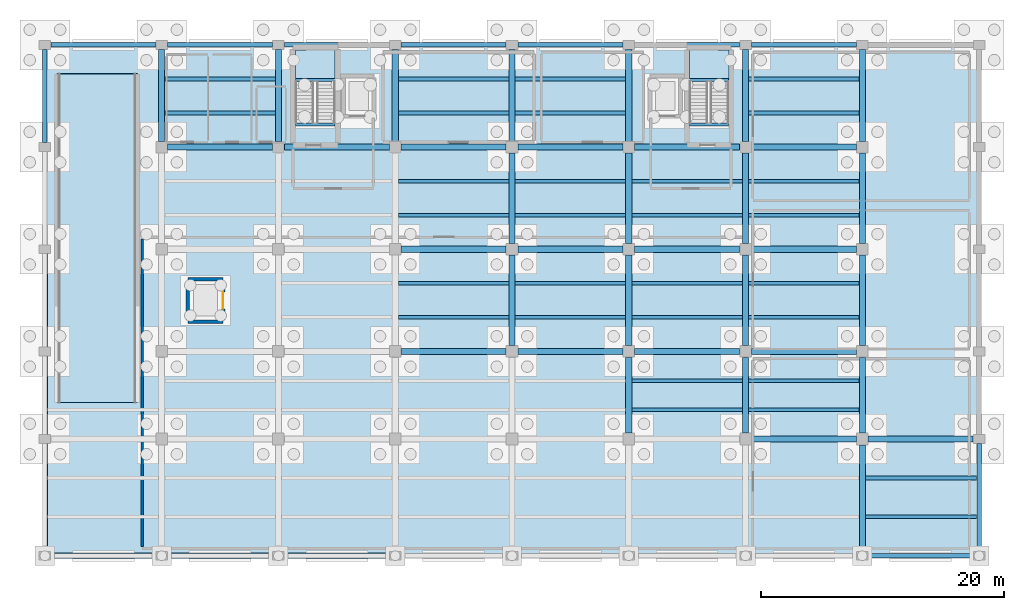
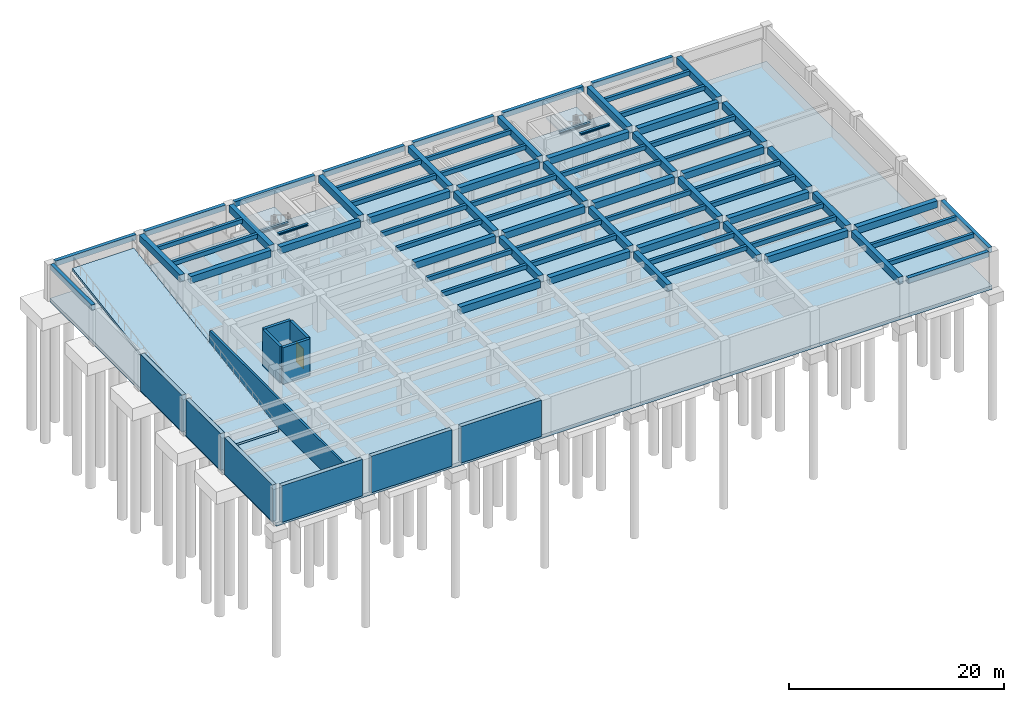
# One storey, part 3 of 8: 79 beams, 11 walls, 4 slabs, 1 door, 1 opening, 2 elements without a shape of their own.
"""IFC4 building model written with IfcOpenShell, lengths in metres."""

from ifc_helpers import new_model, si_unit, direction, frame, frame_2d, origin, origin_2d, place, context, subcontext, project, spatial, polyline, rectangle, i_section, outline, extrude, material, layer, layer_set, material_profile, profile_set, type_object, element, fill, aggregate, save


model = new_model("IFC4")

# Units and contexts
model_context = context("Model", 3, precision=1e-05, world=origin(), true_north=direction((0.0, 1.0)))
body_context = subcontext(model_context, "Body", "Model", "MODEL_VIEW")
ifc_project = project(units=[si_unit("LENGTHUNIT", "METRE"), si_unit("AREAUNIT", "SQUARE_METRE"), si_unit("VOLUMEUNIT", "CUBIC_METRE"), si_unit("PLANEANGLEUNIT", "RADIAN"), si_unit("MASSUNIT", "GRAM", prefix="KILO")], contexts=[model_context])

# Site, building, storey
site_placement = place(None, origin())
site = spatial("IfcSite", under=ifc_project, at=site_placement, CompositionType="ELEMENT")
building_placement = place(site_placement, origin())
building = spatial("IfcBuilding", under=site, at=building_placement, Name="Bempovik Park Faculty of Sciences", CompositionType="ELEMENT")
storey_placement = place(building_placement, frame((0.0, 0.0, -4.5)))
storey = spatial("IfcBuildingStorey", under=building, at=storey_placement, Name="B1", CompositionType="ELEMENT", Elevation=-4.5)

# Beams
ifc_material_1 = material(Name="Concrete C35/45", Category="concrete")
ifc_material_profile_1 = material_profile(ifc_material_1, rectangle(XDim=0.3798828125, YDim=0.60009765625, at=origin_2d()), Name="RC 380x600")
ifc_profile_set_1 = profile_set([ifc_material_profile_1], Name="Concrete C35/45")
beam_type_1 = type_object("IfcBeamType", Name="B-032 RC 380x600", PredefinedType="SPANDREL", material=ifc_profile_set_1)
for number, where, z_axis, x_axis, name in (
    (1, (118.0810546875, 77.39990234375, 3.840087890625), (1.0, 0.0, 0.0), (0.0, 1.0, 0.0), "B1 Beam X (117.6-127.2, y=77.4)"),
    (2, (50.881103515625, 119.39990234375, 3.840087890625), (1.0, 0.0, 0.0), (0.0, 1.0, 0.0), "B1 Beam X (50.4-60.0, y=119.4)"),
    (3, (60.48095703125, 119.39990234375, 3.840087890625), (1.0, 0.0, 0.0), (0.0, 1.0, 0.0), "B1 Beam X (60.0-69.6, y=119.4)"),
    (4, (70.0810546875, 119.39990234375, 3.840087890625), (1.0, 0.0, 0.0), (0.0, 1.0, 0.0), "B1 Beam X (69.6-79.2, y=119.4)"),
):
    element("IfcBeam", number, at=place(storey_placement, frame(where, z_axis=z_axis, x_axis=x_axis)), inside=storey, type_object=beam_type_1, Name=name, PredefinedType="SPANDREL", context=body_context, shape_type="SweptSolid", body=[
        extrude(rectangle(XDim=0.3798828125, YDim=0.60009765625, at=origin_2d()), origin(), (0.0, 0.0, 1.0), 8.637939453125),
    ])
beam_1_placement = place(storey_placement, frame((79.680908203125, 119.39990234375, 3.840087890625), z_axis=(1.0, 0.0, 0.0), x_axis=(0.0, 1.0, 0.0)))
element("IfcBeam", 5, at=beam_1_placement, inside=storey, type_object=beam_type_1, Name="B1 Beam X (79.2-88.8, y=119.4)", PredefinedType="SPANDREL", context=body_context, shape_type="SweptSolid", body=[
    extrude(rectangle(XDim=0.3798828125, YDim=0.60009765625, at=origin_2d()), origin(), (0.0, 0.0, 1.0), 8.63818359375),
])
for number, where, z_axis, x_axis, name in (
    (6, (89.281005859375, 119.39990234375, 3.840087890625), (1.0, 0.0, 0.0), (0.0, 1.0, 0.0), "B1 Beam X (88.8-98.4, y=119.4)"),
    (7, (98.881103515625, 119.39990234375, 3.840087890625), (1.0, 0.0, 0.0), (0.0, 1.0, 0.0), "B1 Beam X (98.4-108.0, y=119.4)"),
    (8, (108.48095703125, 119.39990234375, 3.840087890625), (1.0, 0.0, 0.0), (0.0, 1.0, 0.0), "B1 Beam X (108.0-117.6, y=119.4)"),
):
    element("IfcBeam", number, at=place(storey_placement, frame(where, z_axis=z_axis, x_axis=x_axis)), inside=storey, type_object=beam_type_1, Name=name, PredefinedType="SPANDREL", context=body_context, shape_type="SweptSolid", body=[
        extrude(rectangle(XDim=0.3798828125, YDim=0.60009765625, at=origin_2d()), origin(), (0.0, 0.0, 1.0), 8.637939453125),
    ])
beam_2_placement = place(storey_placement, frame((50.39990234375, 111.365966796875, 3.840087890625), z_axis=(0.0, 1.0, 0.0), x_axis=(-1.0, 0.0, 0.0)))
element("IfcBeam", 9, at=beam_2_placement, inside=storey, type_object=beam_type_1, Name="B1 Beam Y (x=50.4, 111.0-119.4)", PredefinedType="SPANDREL", context=body_context, shape_type="SweptSolid", body=[
    extrude(rectangle(XDim=0.3798828125, YDim=0.60009765625, at=origin_2d()), origin(), (0.0, 0.0, 1.0), 7.66796875),
])
beam_3_placement = place(storey_placement, frame((127.199951171875, 77.76611328125, 3.840087890625), z_axis=(0.0, 1.0, 0.0), x_axis=(-1.0, 0.0, 0.0)))
element("IfcBeam", 10, at=beam_3_placement, inside=storey, type_object=beam_type_1, Name="B1 Beam Y (x=127.2, 77.4-87.0)", PredefinedType="SPANDREL", context=body_context, shape_type="SweptSolid", body=[
    extrude(rectangle(XDim=0.3798828125, YDim=0.60009765625, at=origin_2d()), origin(), (0.0, 0.0, 1.0), 8.867919921875),
])
ifc_material_profile_2 = material_profile(ifc_material_1, rectangle(XDim=0.300048828125, YDim=0.47998046875, at=origin_2d()), Name="RC 300x480")
ifc_profile_set_2 = profile_set([ifc_material_profile_2], Name="Concrete C35/45")
beam_type_2 = type_object("IfcBeamType", Name="B-039 RC 300x480", PredefinedType="JOIST", material=ifc_profile_set_2)
for number, where, z_axis, x_axis, name in (
    (11, (60.256103515625, 113.800048828125, 3.89990234375), (1.0, 0.0, 0.0), (0.0, 1.0, 0.0), "B1 Secondary Joist (60.0-69.6, y=113.80)"),
    (12, (60.256103515625, 116.60009765625, 3.89990234375), (1.0, 0.0, 0.0), (0.0, 1.0, 0.0), "B1 Secondary Joist (60.0-69.6, y=116.60)"),
    (13, (79.4560546875, 97.0, 3.89990234375), (1.0, 0.0, 0.0), (0.0, 1.0, 0.0), "B1 Secondary Joist (79.2-88.8, y=97.00)"),
    (14, (79.4560546875, 99.800048828125, 3.89990234375), (1.0, 0.0, 0.0), (0.0, 1.0, 0.0), "B1 Secondary Joist (79.2-88.8, y=99.80)"),
    (15, (79.4560546875, 105.39990234375, 3.89990234375), (1.0, 0.0, 0.0), (0.0, 1.0, 0.0), "B1 Secondary Joist (79.2-88.8, y=105.40)"),
    (16, (79.4560546875, 108.199951171875, 3.89990234375), (1.0, 0.0, 0.0), (0.0, 1.0, 0.0), "B1 Secondary Joist (79.2-88.8, y=108.20)"),
    (17, (79.4560546875, 113.800048828125, 3.89990234375), (1.0, 0.0, 0.0), (0.0, 1.0, 0.0), "B1 Secondary Joist (79.2-88.8, y=113.80)"),
    (18, (79.4560546875, 116.60009765625, 3.89990234375), (1.0, 0.0, 0.0), (0.0, 1.0, 0.0), "B1 Secondary Joist (79.2-88.8, y=116.60)"),
):
    element("IfcBeam", number, at=place(storey_placement, frame(where, z_axis=z_axis, x_axis=x_axis)), inside=storey, type_object=beam_type_2, Name=name, PredefinedType="JOIST", context=body_context, shape_type="SweptSolid", body=[
        extrude(rectangle(XDim=0.300048828125, YDim=0.47998046875, at=origin_2d()), origin(), (0.0, 0.0, 1.0), 9.087890625),
    ])
for number, where, z_axis, x_axis, name in (
    (19, (89.055908203125, 97.0, 3.89990234375), (1.0, 0.0, 0.0), (0.0, 1.0, 0.0), "B1 Secondary Joist (88.8-98.4, y=97.00)"),
    (20, (89.055908203125, 99.800048828125, 3.89990234375), (1.0, 0.0, 0.0), (0.0, 1.0, 0.0), "B1 Secondary Joist (88.8-98.4, y=99.80)"),
    (21, (89.055908203125, 105.39990234375, 3.89990234375), (1.0, 0.0, 0.0), (0.0, 1.0, 0.0), "B1 Secondary Joist (88.8-98.4, y=105.40)"),
    (22, (89.055908203125, 108.199951171875, 3.89990234375), (1.0, 0.0, 0.0), (0.0, 1.0, 0.0), "B1 Secondary Joist (88.8-98.4, y=108.20)"),
    (23, (89.055908203125, 113.800048828125, 3.89990234375), (1.0, 0.0, 0.0), (0.0, 1.0, 0.0), "B1 Secondary Joist (88.8-98.4, y=113.80)"),
    (24, (89.055908203125, 116.60009765625, 3.89990234375), (1.0, 0.0, 0.0), (0.0, 1.0, 0.0), "B1 Secondary Joist (88.8-98.4, y=116.60)"),
):
    element("IfcBeam", number, at=place(storey_placement, frame(where, z_axis=z_axis, x_axis=x_axis)), inside=storey, type_object=beam_type_2, Name=name, PredefinedType="JOIST", context=body_context, shape_type="SweptSolid", body=[
        extrude(rectangle(XDim=0.300048828125, YDim=0.47998046875, at=origin_2d()), origin(), (0.0, 0.0, 1.0), 9.088134765625),
    ])
for number, where, z_axis, x_axis, name in (
    (25, (98.656005859375, 89.39990234375, 3.89990234375), (1.0, 0.0, 0.0), (0.0, 1.0, 0.0), "B1 Secondary Joist (98.4-108.0, y=89.40)"),
    (26, (98.656005859375, 91.800048828125, 3.89990234375), (1.0, 0.0, 0.0), (0.0, 1.0, 0.0), "B1 Secondary Joist (98.4-108.0, y=91.80)"),
    (27, (98.656005859375, 97.0, 3.89990234375), (1.0, 0.0, 0.0), (0.0, 1.0, 0.0), "B1 Secondary Joist (98.4-108.0, y=97.00)"),
    (28, (98.656005859375, 99.800048828125, 3.89990234375), (1.0, 0.0, 0.0), (0.0, 1.0, 0.0), "B1 Secondary Joist (98.4-108.0, y=99.80)"),
    (29, (98.656005859375, 105.39990234375, 3.89990234375), (1.0, 0.0, 0.0), (0.0, 1.0, 0.0), "B1 Secondary Joist (98.4-108.0, y=105.40)"),
    (30, (98.656005859375, 108.199951171875, 3.89990234375), (1.0, 0.0, 0.0), (0.0, 1.0, 0.0), "B1 Secondary Joist (98.4-108.0, y=108.20)"),
    (31, (108.256103515625, 89.39990234375, 3.89990234375), (1.0, 0.0, 0.0), (0.0, 1.0, 0.0), "B1 Secondary Joist (108.0-117.6, y=89.40)"),
    (32, (108.256103515625, 91.800048828125, 3.89990234375), (1.0, 0.0, 0.0), (0.0, 1.0, 0.0), "B1 Secondary Joist (108.0-117.6, y=91.80)"),
    (33, (108.256103515625, 97.0, 3.89990234375), (1.0, 0.0, 0.0), (0.0, 1.0, 0.0), "B1 Secondary Joist (108.0-117.6, y=97.00)"),
    (34, (108.256103515625, 99.800048828125, 3.89990234375), (1.0, 0.0, 0.0), (0.0, 1.0, 0.0), "B1 Secondary Joist (108.0-117.6, y=99.80)"),
    (35, (108.256103515625, 105.39990234375, 3.89990234375), (1.0, 0.0, 0.0), (0.0, 1.0, 0.0), "B1 Secondary Joist (108.0-117.6, y=105.40)"),
    (36, (108.256103515625, 108.199951171875, 3.89990234375), (1.0, 0.0, 0.0), (0.0, 1.0, 0.0), "B1 Secondary Joist (108.0-117.6, y=108.20)"),
    (37, (108.256103515625, 113.800048828125, 3.89990234375), (1.0, 0.0, 0.0), (0.0, 1.0, 0.0), "B1 Secondary Joist (108.0-117.6, y=113.80)"),
    (38, (108.256103515625, 116.60009765625, 3.89990234375), (1.0, 0.0, 0.0), (0.0, 1.0, 0.0), "B1 Secondary Joist (108.0-117.6, y=116.60)"),
):
    element("IfcBeam", number, at=place(storey_placement, frame(where, z_axis=z_axis, x_axis=x_axis)), inside=storey, type_object=beam_type_2, Name=name, PredefinedType="JOIST", context=body_context, shape_type="SweptSolid", body=[
        extrude(rectangle(XDim=0.300048828125, YDim=0.47998046875, at=origin_2d()), origin(), (0.0, 0.0, 1.0), 9.087890625),
    ])
for number, where, z_axis, x_axis, name in (
    (39, (117.85595703125, 80.60009765625, 3.89990234375), (1.0, 0.0, 0.0), (0.0, 1.0, 0.0), "B1 Secondary Joist (117.6-127.2, y=80.60)"),
    (40, (117.85595703125, 83.800048828125, 3.89990234375), (1.0, 0.0, 0.0), (0.0, 1.0, 0.0), "B1 Secondary Joist (117.6-127.2, y=83.80)"),
):
    element("IfcBeam", number, at=place(storey_placement, frame(where, z_axis=z_axis, x_axis=x_axis)), inside=storey, type_object=beam_type_2, Name=name, PredefinedType="JOIST", context=body_context, shape_type="SweptSolid", body=[
        extrude(rectangle(XDim=0.300048828125, YDim=0.47998046875, at=origin_2d()), origin(), (0.0, 0.0, 1.0), 9.14794921875),
    ])
ifc_material_2 = material(Name="Concrete C40/50", Category="concrete")
ifc_material_profile_3 = material_profile(ifc_material_2, rectangle(XDim=0.5, YDim=0.780029296875, at=origin_2d()), Name="RC 500x780")
ifc_profile_set_3 = profile_set([ifc_material_profile_3], Name="Concrete C40/50")
beam_type_3 = type_object("IfcBeamType", Name="B-065 RC 500x780", PredefinedType="BEAM", material=ifc_profile_set_3)
for number, where, z_axis, x_axis, name in (
    (41, (108.48095703125, 87.0, 3.75), (1.0, 0.0, 0.0), (0.0, 1.0, 0.0), "B1 Beam X (108.0-117.6, y=87.0)"),
    (42, (118.0810546875, 87.0, 3.75), (1.0, 0.0, 0.0), (0.0, 1.0, 0.0), "B1 Beam X (117.6-127.2, y=87.0)"),
):
    element("IfcBeam", number, at=place(storey_placement, frame(where, z_axis=z_axis, x_axis=x_axis)), inside=storey, type_object=beam_type_3, Name=name, PredefinedType="BEAM", context=body_context, shape_type="SweptSolid", body=[
        extrude(rectangle(XDim=0.5, YDim=0.780029296875, at=origin_2d()), origin(), (0.0, 0.0, 1.0), 8.637939453125),
    ])
beam_4_placement = place(storey_placement, frame((79.680908203125, 94.199951171875, 3.75), z_axis=(1.0, 0.0, 0.0), x_axis=(0.0, 1.0, 0.0)))
element("IfcBeam", 43, at=beam_4_placement, inside=storey, type_object=beam_type_3, Name="B1 Beam X (79.2-88.8, y=94.2)", PredefinedType="BEAM", context=body_context, shape_type="SweptSolid", body=[
    extrude(rectangle(XDim=0.5, YDim=0.780029296875, at=origin_2d()), origin(), (0.0, 0.0, 1.0), 8.63818359375),
])
for number, where, z_axis, x_axis, name in (
    (44, (89.281005859375, 94.199951171875, 3.75), (1.0, 0.0, 0.0), (0.0, 1.0, 0.0), "B1 Beam X (88.8-98.4, y=94.2)"),
    (45, (98.881103515625, 94.199951171875, 3.75), (1.0, 0.0, 0.0), (0.0, 1.0, 0.0), "B1 Beam X (98.4-108.0, y=94.2)"),
    (46, (108.48095703125, 94.199951171875, 3.75), (1.0, 0.0, 0.0), (0.0, 1.0, 0.0), "B1 Beam X (108.0-117.6, y=94.2)"),
):
    element("IfcBeam", number, at=place(storey_placement, frame(where, z_axis=z_axis, x_axis=x_axis)), inside=storey, type_object=beam_type_3, Name=name, PredefinedType="BEAM", context=body_context, shape_type="SweptSolid", body=[
        extrude(rectangle(XDim=0.5, YDim=0.780029296875, at=origin_2d()), origin(), (0.0, 0.0, 1.0), 8.637939453125),
    ])
beam_5_placement = place(storey_placement, frame((79.680908203125, 102.60009765625, 3.75), z_axis=(1.0, 0.0, 0.0), x_axis=(0.0, 1.0, 0.0)))
element("IfcBeam", 47, at=beam_5_placement, inside=storey, type_object=beam_type_3, Name="B1 Beam X (79.2-88.8, y=102.6)", PredefinedType="BEAM", context=body_context, shape_type="SweptSolid", body=[
    extrude(rectangle(XDim=0.5, YDim=0.780029296875, at=origin_2d()), origin(), (0.0, 0.0, 1.0), 8.63818359375),
])
for number, where, z_axis, x_axis, name in (
    (48, (89.281005859375, 102.60009765625, 3.75), (1.0, 0.0, 0.0), (0.0, 1.0, 0.0), "B1 Beam X (88.8-98.4, y=102.6)"),
    (49, (98.881103515625, 102.60009765625, 3.75), (1.0, 0.0, 0.0), (0.0, 1.0, 0.0), "B1 Beam X (98.4-108.0, y=102.6)"),
    (50, (108.48095703125, 102.60009765625, 3.75), (1.0, 0.0, 0.0), (0.0, 1.0, 0.0), "B1 Beam X (108.0-117.6, y=102.6)"),
    (51, (60.48095703125, 111.0, 3.75), (1.0, 0.0, 0.0), (0.0, 1.0, 0.0), "B1 Beam X (60.0-69.6, y=111.0)"),
    (52, (70.0810546875, 111.0, 3.75), (1.0, 0.0, 0.0), (0.0, 1.0, 0.0), "B1 Beam X (69.6-79.2, y=111.0)"),
):
    element("IfcBeam", number, at=place(storey_placement, frame(where, z_axis=z_axis, x_axis=x_axis)), inside=storey, type_object=beam_type_3, Name=name, PredefinedType="BEAM", context=body_context, shape_type="SweptSolid", body=[
        extrude(rectangle(XDim=0.5, YDim=0.780029296875, at=origin_2d()), origin(), (0.0, 0.0, 1.0), 8.637939453125),
    ])
beam_6_placement = place(storey_placement, frame((79.680908203125, 111.0, 3.75), z_axis=(1.0, 0.0, 0.0), x_axis=(0.0, 1.0, 0.0)))
element("IfcBeam", 53, at=beam_6_placement, inside=storey, type_object=beam_type_3, Name="B1 Beam X (79.2-88.8, y=111.0)", PredefinedType="BEAM", context=body_context, shape_type="SweptSolid", body=[
    extrude(rectangle(XDim=0.5, YDim=0.780029296875, at=origin_2d()), origin(), (0.0, 0.0, 1.0), 8.63818359375),
])
for number, where, z_axis, x_axis, name in (
    (54, (89.281005859375, 111.0, 3.75), (1.0, 0.0, 0.0), (0.0, 1.0, 0.0), "B1 Beam X (88.8-98.4, y=111.0)"),
    (55, (98.881103515625, 111.0, 3.75), (1.0, 0.0, 0.0), (0.0, 1.0, 0.0), "B1 Beam X (98.4-108.0, y=111.0)"),
    (56, (108.48095703125, 111.0, 3.75), (1.0, 0.0, 0.0), (0.0, 1.0, 0.0), "B1 Beam X (108.0-117.6, y=111.0)"),
):
    element("IfcBeam", number, at=place(storey_placement, frame(where, z_axis=z_axis, x_axis=x_axis)), inside=storey, type_object=beam_type_3, Name=name, PredefinedType="BEAM", context=body_context, shape_type="SweptSolid", body=[
        extrude(rectangle(XDim=0.5, YDim=0.780029296875, at=origin_2d()), origin(), (0.0, 0.0, 1.0), 8.637939453125),
    ])
for number, where, z_axis, x_axis, name in (
    (57, (60.0, 111.48095703125, 3.75), (0.0, 1.0, 0.0), (-1.0, 0.0, 0.0), "B1 Beam Y (x=60.0, 111.0-119.4)"),
    (58, (69.60009765625, 111.48095703125, 3.75), (0.0, 1.0, 0.0), (-1.0, 0.0, 0.0), "B1 Beam Y (x=69.6, 111.0-119.4)"),
    (59, (79.199951171875, 111.48095703125, 3.75), (0.0, 1.0, 0.0), (-1.0, 0.0, 0.0), "B1 Beam Y (x=79.2, 111.0-119.4)"),
):
    element("IfcBeam", number, at=place(storey_placement, frame(where, z_axis=z_axis, x_axis=x_axis)), inside=storey, type_object=beam_type_3, Name=name, PredefinedType="BEAM", context=body_context, shape_type="SweptSolid", body=[
        extrude(rectangle(XDim=0.5, YDim=0.780029296875, at=origin_2d()), origin(), (0.0, 0.0, 1.0), 7.552978515625),
    ])
for number, where, z_axis, x_axis, name in (
    (60, (88.800048828125, 94.680908203125, 3.75), (0.0, 1.0, 0.0), (-1.0, 0.0, 0.0), "B1 Beam Y (x=88.8, 94.2-102.6)"),
    (61, (88.800048828125, 103.0810546875, 3.75), (0.0, 1.0, 0.0), (-1.0, 0.0, 0.0), "B1 Beam Y (x=88.8, 102.6-111.0)"),
):
    element("IfcBeam", number, at=place(storey_placement, frame(where, z_axis=z_axis, x_axis=x_axis)), inside=storey, type_object=beam_type_3, Name=name, PredefinedType="BEAM", context=body_context, shape_type="SweptSolid", body=[
        extrude(rectangle(XDim=0.5, YDim=0.780029296875, at=origin_2d()), origin(), (0.0, 0.0, 1.0), 7.43798828125),
    ])
beam_7_placement = place(storey_placement, frame((88.800048828125, 111.48095703125, 3.75), z_axis=(0.0, 1.0, 0.0), x_axis=(-1.0, 0.0, 0.0)))
element("IfcBeam", 62, at=beam_7_placement, inside=storey, type_object=beam_type_3, Name="B1 Beam Y (x=88.8, 111.0-119.4)", PredefinedType="BEAM", context=body_context, shape_type="SweptSolid", body=[
    extrude(rectangle(XDim=0.5, YDim=0.780029296875, at=origin_2d()), origin(), (0.0, 0.0, 1.0), 7.552978515625),
])
beam_8_placement = place(storey_placement, frame((98.39990234375, 87.48095703125, 3.75), z_axis=(0.0, 1.0, 0.0), x_axis=(-1.0, 0.0, 0.0)))
element("IfcBeam", 63, at=beam_8_placement, inside=storey, type_object=beam_type_3, Name="B1 Beam Y (x=98.4, 87.0-94.2)", PredefinedType="BEAM", context=body_context, shape_type="SweptSolid", body=[
    extrude(rectangle(XDim=0.5, YDim=0.780029296875, at=origin_2d()), origin(), (0.0, 0.0, 1.0), 6.238037109375),
])
for number, where, z_axis, x_axis, name in (
    (64, (98.39990234375, 94.680908203125, 3.75), (0.0, 1.0, 0.0), (-1.0, 0.0, 0.0), "B1 Beam Y (x=98.4, 94.2-102.6)"),
    (65, (98.39990234375, 103.0810546875, 3.75), (0.0, 1.0, 0.0), (-1.0, 0.0, 0.0), "B1 Beam Y (x=98.4, 102.6-111.0)"),
):
    element("IfcBeam", number, at=place(storey_placement, frame(where, z_axis=z_axis, x_axis=x_axis)), inside=storey, type_object=beam_type_3, Name=name, PredefinedType="BEAM", context=body_context, shape_type="SweptSolid", body=[
        extrude(rectangle(XDim=0.5, YDim=0.780029296875, at=origin_2d()), origin(), (0.0, 0.0, 1.0), 7.43798828125),
    ])
beam_9_placement = place(storey_placement, frame((98.39990234375, 111.48095703125, 3.75), z_axis=(0.0, 1.0, 0.0), x_axis=(-1.0, 0.0, 0.0)))
element("IfcBeam", 66, at=beam_9_placement, inside=storey, type_object=beam_type_3, Name="B1 Beam Y (x=98.4, 111.0-119.4)", PredefinedType="BEAM", context=body_context, shape_type="SweptSolid", body=[
    extrude(rectangle(XDim=0.5, YDim=0.780029296875, at=origin_2d()), origin(), (0.0, 0.0, 1.0), 7.552978515625),
])
beam_10_placement = place(storey_placement, frame((108.0, 87.48095703125, 3.75), z_axis=(0.0, 1.0, 0.0), x_axis=(-1.0, 0.0, 0.0)))
element("IfcBeam", 67, at=beam_10_placement, inside=storey, type_object=beam_type_3, Name="B1 Beam Y (x=108.0, 87.0-94.2)", PredefinedType="BEAM", context=body_context, shape_type="SweptSolid", body=[
    extrude(rectangle(XDim=0.5, YDim=0.780029296875, at=origin_2d()), origin(), (0.0, 0.0, 1.0), 6.238037109375),
])
for number, where, z_axis, x_axis, name in (
    (68, (108.0, 94.680908203125, 3.75), (0.0, 1.0, 0.0), (-1.0, 0.0, 0.0), "B1 Beam Y (x=108.0, 94.2-102.6)"),
    (69, (108.0, 103.0810546875, 3.75), (0.0, 1.0, 0.0), (-1.0, 0.0, 0.0), "B1 Beam Y (x=108.0, 102.6-111.0)"),
):
    element("IfcBeam", number, at=place(storey_placement, frame(where, z_axis=z_axis, x_axis=x_axis)), inside=storey, type_object=beam_type_3, Name=name, PredefinedType="BEAM", context=body_context, shape_type="SweptSolid", body=[
        extrude(rectangle(XDim=0.5, YDim=0.780029296875, at=origin_2d()), origin(), (0.0, 0.0, 1.0), 7.43798828125),
    ])
beam_11_placement = place(storey_placement, frame((108.0, 111.48095703125, 3.75), z_axis=(0.0, 1.0, 0.0), x_axis=(-1.0, 0.0, 0.0)))
element("IfcBeam", 70, at=beam_11_placement, inside=storey, type_object=beam_type_3, Name="B1 Beam Y (x=108.0, 111.0-119.4)", PredefinedType="BEAM", context=body_context, shape_type="SweptSolid", body=[
    extrude(rectangle(XDim=0.5, YDim=0.780029296875, at=origin_2d()), origin(), (0.0, 0.0, 1.0), 7.552978515625),
])
beam_12_placement = place(storey_placement, frame((117.60009765625, 77.76611328125, 3.75), z_axis=(0.0, 1.0, 0.0), x_axis=(-1.0, 0.0, 0.0)))
element("IfcBeam", 71, at=beam_12_placement, inside=storey, type_object=beam_type_3, Name="B1 Beam Y (x=117.6, 77.4-87.0)", PredefinedType="BEAM", context=body_context, shape_type="SweptSolid", body=[
    extrude(rectangle(XDim=0.5, YDim=0.780029296875, at=origin_2d()), origin(), (0.0, 0.0, 1.0), 8.7529296875),
])
beam_13_placement = place(storey_placement, frame((117.60009765625, 87.48095703125, 3.75), z_axis=(0.0, 1.0, 0.0), x_axis=(-1.0, 0.0, 0.0)))
element("IfcBeam", 72, at=beam_13_placement, inside=storey, type_object=beam_type_3, Name="B1 Beam Y (x=117.6, 87.0-94.2)", PredefinedType="BEAM", context=body_context, shape_type="SweptSolid", body=[
    extrude(rectangle(XDim=0.5, YDim=0.780029296875, at=origin_2d()), origin(), (0.0, 0.0, 1.0), 6.238037109375),
])
for number, where, z_axis, x_axis, name in (
    (73, (117.60009765625, 94.680908203125, 3.75), (0.0, 1.0, 0.0), (-1.0, 0.0, 0.0), "B1 Beam Y (x=117.6, 94.2-102.6)"),
    (74, (117.60009765625, 103.0810546875, 3.75), (0.0, 1.0, 0.0), (-1.0, 0.0, 0.0), "B1 Beam Y (x=117.6, 102.6-111.0)"),
):
    element("IfcBeam", number, at=place(storey_placement, frame(where, z_axis=z_axis, x_axis=x_axis)), inside=storey, type_object=beam_type_3, Name=name, PredefinedType="BEAM", context=body_context, shape_type="SweptSolid", body=[
        extrude(rectangle(XDim=0.5, YDim=0.780029296875, at=origin_2d()), origin(), (0.0, 0.0, 1.0), 7.43798828125),
    ])
beam_14_placement = place(storey_placement, frame((117.60009765625, 111.48095703125, 3.75), z_axis=(0.0, 1.0, 0.0), x_axis=(-1.0, 0.0, 0.0)))
element("IfcBeam", 75, at=beam_14_placement, inside=storey, type_object=beam_type_3, Name="B1 Beam Y (x=117.6, 111.0-119.4)", PredefinedType="BEAM", context=body_context, shape_type="SweptSolid", body=[
    extrude(rectangle(XDim=0.5, YDim=0.780029296875, at=origin_2d()), origin(), (0.0, 0.0, 1.0), 7.552978515625),
])
ifc_material_3 = material(Name="Steel S355", Category="steel")
ifc_material_profile_4 = material_profile(ifc_material_3, i_section(OverallWidth=0.239990234375, OverallDepth=0.22998046875, WebThickness=0.007568359375, FlangeThickness=0.011962890625, at=origin_2d()), Name="HEA 240")
ifc_profile_set_4 = profile_set([ifc_material_profile_4], Name="Steel S355")
beam_type_4 = type_object("IfcBeamType", Name="B-070 HEA 240", PredefinedType="BEAM", material=ifc_profile_set_4)
for number, where, z_axis, x_axis, name in (
    (76, (71.006103515625, 116.52490234375, 1.93505859375), (1.0, 0.0, 0.0), (0.0, 1.0, 0.0), "B1 ST-1 Half-Landing Trimmer Beam"),
    (77, (71.006103515625, 112.85009765625, 4.02490234375), (1.0, 0.0, 0.0), (0.0, 1.0, 0.0), "L00 ST-1 Floor Landing Trimmer Beam"),
    (78, (103.381103515625, 116.52490234375, 1.93505859375), (1.0, 0.0, 0.0), (0.0, 1.0, 0.0), "B1 ST-2 Half-Landing Trimmer Beam"),
    (79, (103.381103515625, 112.85009765625, 4.02490234375), (1.0, 0.0, 0.0), (0.0, 1.0, 0.0), "L00 ST-2 Floor Landing Trimmer Beam"),
):
    element("IfcBeam", number, at=place(storey_placement, frame(where, z_axis=z_axis, x_axis=x_axis)), inside=storey, type_object=beam_type_4, Name=name, PredefinedType="BEAM", context=body_context, shape_type="SweptSolid", body=[
        extrude(i_section(OverallWidth=0.239990234375, OverallDepth=0.22998046875, WebThickness=0.007568359375, FlangeThickness=0.011962890625, at=origin_2d()), origin(), (0.0, 0.0, 1.0), 3.23779296875),
    ])

# Slab
ifc_layer_1 = layer(ifc_material_1, 0.39990234375)
ifc_layer_set_1 = layer_set([ifc_layer_1], Name="Concrete C35/45")
slab_type_1 = type_object("IfcSlabType", Name="S-29 Slab 400mm", PredefinedType="BASESLAB", material=ifc_layer_set_1)
slab_1_placement = place(storey_placement, frame((0.0, 0.0, -0.39990234375)))
element("IfcSlab", 80, at=slab_1_placement, inside=storey, type_object=slab_type_1, Name="Basement B1 Base Slab", PredefinedType="BASESLAB", context=body_context, shape_type="SweptSolid", body=[
    extrude(outline(polyline([(50.39990234375, 77.39990234375), (127.199951171875, 77.39990234375), (127.199951171875, 119.39990234375), (50.39990234375, 119.39990234375), (50.39990234375, 77.39990234375)])), origin(), (0.0, 0.0, 1.0), 0.39990234375),
])

# Stair, slab
stair_type = type_object("IfcStairType", Name="ST-12 Stair W1500 H4500", PredefinedType="HALF_TURN_STAIR", material=ifc_material_1)
stair_1_placement = place(storey_placement, origin())
stair_1 = element("IfcStair", 81, at=stair_1_placement, inside=storey, type_object=stair_type, Name="B1 ST-1 Dog-Leg Exit Stair", PredefinedType="HALF_TURN_STAIR")
ifc_layer_2 = layer(ifc_material_1, 0.199951171875)
ifc_layer_set_2 = layer_set([ifc_layer_2], Name="Concrete C35/45")
slab_type_2 = type_object("IfcSlabType", Name="S-41 Slab 200mm", PredefinedType="LANDING", material=ifc_layer_set_2)
slab_2_placement = place(storey_placement, frame((0.0, 0.0, 2.050048828125)))
slab_2 = element("IfcSlab", 82, at=slab_2_placement, type_object=slab_type_2, Name="ST-12 landing 1", PredefinedType="LANDING", context=body_context, shape_type="SweptSolid", body=[
    extrude(outline(polyline([(74.25, 116.375), (74.25, 119.0), (71.0, 119.0), (71.0, 116.375), (74.25, 116.375)])), origin(), (0.0, 0.0, 1.0), 0.199951171875),
])
aggregate(stair_1, [slab_2])

stair_2_placement = place(storey_placement, origin())
stair_2 = element("IfcStair", 83, at=stair_2_placement, inside=storey, type_object=stair_type, Name="B1 ST-2 Dog-Leg Exit Stair", PredefinedType="HALF_TURN_STAIR")
slab_3_placement = place(storey_placement, frame((0.0, 0.0, 2.050048828125)))
slab_3 = element("IfcSlab", 84, at=slab_3_placement, type_object=slab_type_2, Name="ST-12 landing 1", PredefinedType="LANDING", context=body_context, shape_type="SweptSolid", body=[
    extrude(outline(polyline([(106.625, 116.375), (106.625, 119.0), (103.375, 119.0), (103.375, 116.375), (106.625, 116.375)])), origin(), (0.0, 0.0, 1.0), 0.199951171875),
])
aggregate(stair_2, [slab_3])

# Slab
ifc_layer_3 = layer(ifc_material_2, 0.280029296875)
ifc_layer_set_3 = layer_set([ifc_layer_3], Name="Concrete C40/50")
slab_type_3 = type_object("IfcSlabType", Name="S-99 Slab 280mm", PredefinedType="FLOOR", material=ifc_layer_set_3)
slab_4_placement = place(storey_placement, frame((51.39990234375, 90.0, 0.284912109375), z_axis=(0.0, -0.154246062208, 0.988032465202), x_axis=(1.0, 0.0, 0.0)))
element("IfcSlab", 85, at=slab_4_placement, inside=storey, type_object=slab_type_3, Name="Basement Structural Vehicle Ramp Slab (280mm Concrete C40/50)", PredefinedType="FLOOR", context=body_context, shape_type="SweptSolid", body=[
    extrude(outline(polyline([(0.0, 0.0), (6.60009765625, 0.0), (6.60009765625, 27.32703726944605), (0.0, 27.32703726944605), (0.0, 0.0)])), origin(), (0.0, 0.0, -1.0), 0.280029296875),
])

# Walls
ifc_layer_4 = layer(ifc_material_2, 0.300048828125)
ifc_layer_set_4 = layer_set([ifc_layer_4], Name="Concrete C40/50")
wall_type_1 = type_object("IfcWallType", Name="W-31 Wall 300mm", PredefinedType="SHEAR", material=ifc_layer_set_4)
for number, where, z_axis, x_axis, name in (
    (86, (62.14990234375, 96.64990234375, 0.0), (0.0, 0.0, 1.0), (1.0, 0.0, 0.0), "Lift LF-5 B1 Shaft Wall South"),
    (87, (62.14990234375, 100.14990234375, 0.0), (0.0, 0.0, 1.0), (1.0, 0.0, 0.0), "Lift LF-5 B1 Shaft Wall North"),
):
    element("IfcWall", number, at=place(storey_placement, frame(where, z_axis=z_axis, x_axis=x_axis)), inside=storey, type_object=wall_type_1, Name=name, PredefinedType="SHEAR", context=body_context, shape_type="SweptSolid", body=[
        extrude(rectangle(XDim=2.900146484375, YDim=0.300048828125, at=frame_2d((1.4501953125, 0.0))), origin(), (0.0, 0.0, 1.0), 4.139892578125),
    ])
wall_1_placement = place(storey_placement, frame((62.14990234375, 96.800048828125, 0.0), z_axis=(0.0, 0.0, 1.0), x_axis=(0.0, 1.0, 0.0)))
element("IfcWall", 88, at=wall_1_placement, inside=storey, type_object=wall_type_1, Name="Lift LF-5 B1 Shaft Wall West", PredefinedType="SHEAR", context=body_context, shape_type="SweptSolid", body=[
    extrude(rectangle(XDim=3.199951171875, YDim=0.300048828125, at=frame_2d((1.60009765625, 0.0))), origin(), (0.0, 0.0, 1.0), 4.139892578125),
])

# Wall, opening, door
wall_2_placement = place(storey_placement, frame((65.050048828125, 96.800048828125, 0.0), z_axis=(0.0, 0.0, 1.0), x_axis=(0.0, 1.0, 0.0)))
wall_2 = element("IfcWall", 89, at=wall_2_placement, inside=storey, type_object=wall_type_1, Name="Lift LF-5 B1 Shaft Wall East", PredefinedType="SHEAR", context=body_context, shape_type="SweptSolid", body=[
    extrude(rectangle(XDim=3.199951171875, YDim=0.300048828125, at=frame_2d((1.60009765625, 0.0))), origin(), (0.0, 0.0, 1.0), 4.139892578125),
])
opening_placement = place(wall_2_placement, frame((0.89990234375, 0.0, 0.0)))
opening = element("IfcOpeningElement", 90, at=opening_placement, cuts=wall_2, Name="Opening LD-03", PredefinedType="OPENING", context=body_context, shape_type="SweptSolid", body=[
    extrude(rectangle(XDim=1.39990234375, YDim=2.300048828125, at=frame_2d((0.699951171875, 1.14990234375))), frame((0.0, 0.16015625, 0.0), z_axis=(0.0, -1.0, 0.0), x_axis=(1.0, 0.0, 0.0)), (0.0, 0.0, 1.0), 0.320068359375),
])
ifc_material_4 = material(Name="Painted steel S355", Category="steel")
door_type = type_object("IfcDoorType", Name="LD-03 Door 1400x2300", OperationType="NOTDEFINED", PredefinedType="DOOR", material=ifc_material_4)
door_placement = place(opening_placement, origin())
door = element("IfcDoor", 91, at=door_placement, inside=storey, type_object=door_type, Name="Lift LF-5 B1 Sliding Landing Door", OperationType="SLIDING_TO_LEFT", OverallHeight=2.300048828125, OverallWidth=1.39990234375, PredefinedType="DOOR", context=body_context, shape_type="SweptSolid", body=[
    extrude(rectangle(XDim=1.39990234375, YDim=2.300048828125, at=frame_2d((0.699951171875, 1.14990234375))), frame((0.0, 0.02490234375, 0.0), z_axis=(0.0, -1.0, 0.0), x_axis=(1.0, 0.0, 0.0)), (0.0, 0.0, 1.0), 0.050048828125),
])
fill(opening, door)

# Walls
ifc_layer_5 = layer(ifc_material_1, 0.219970703125)
ifc_layer_set_5 = layer_set([ifc_layer_5], Name="Concrete C35/45")
wall_type_2 = type_object("IfcWallType", Name="W-38 Wall 220mm", PredefinedType="PARTITIONING", material=ifc_layer_set_5)
wall_3_placement = place(storey_placement, frame((58.39990234375, 78.159912109375, 0.0), z_axis=(0.0, 0.0, 1.0), x_axis=(0.0, 1.0, 0.0)))
element("IfcWall", 92, at=wall_3_placement, inside=storey, type_object=wall_type_2, Name="B1 Basement Car Park Partition West", PredefinedType="PARTITIONING", context=body_context, shape_type="SweptSolid", body=[
    extrude(rectangle(XDim=25.280029296875, YDim=0.219970703125, at=frame_2d((12.64013671875, 0.0))), origin(), (0.0, 0.0, 1.0), 3.219970703125),
])
ifc_layer_6 = layer(ifc_material_1, 0.419921875)
ifc_layer_set_6 = layer_set([ifc_layer_6], Name="Concrete C35/45")
wall_type_3 = type_object("IfcWallType", Name="W-62 Wall 420mm", PredefinedType="SOLIDWALL", material=ifc_layer_set_6)
wall_4_placement = place(storey_placement, frame((50.39990234375, 77.761962890625, 0.0), z_axis=(0.0, 0.0, 1.0), x_axis=(0.0, 1.0, 0.0)))
element("IfcWall", 93, at=wall_4_placement, inside=storey, type_object=wall_type_3, Name="Basement Waterproof Retaining Wall RW-B1-5644", PredefinedType="SOLIDWALL", context=body_context, shape_type="SweptSolid", body=[
    extrude(rectangle(XDim=8.8759765625, YDim=0.419921875, at=frame_2d((4.43798828125, 0.0))), origin(), (0.0, 0.0, 1.0), 4.135009765625),
])
wall_5_placement = place(storey_placement, frame((50.39990234375, 87.362060546875, 0.0), z_axis=(0.0, 0.0, 1.0), x_axis=(0.0, 1.0, 0.0)))
element("IfcWall", 94, at=wall_5_placement, inside=storey, type_object=wall_type_3, Name="Basement Waterproof Retaining Wall RW-B1-5645", PredefinedType="SOLIDWALL", context=body_context, shape_type="SweptSolid", body=[
    extrude(rectangle(XDim=6.475830078125, YDim=0.419921875, at=frame_2d((3.23779296875, 0.0))), origin(), (0.0, 0.0, 1.0), 4.135009765625),
])
wall_6_placement = place(storey_placement, frame((50.39990234375, 94.56201171875, 0.0), z_axis=(0.0, 0.0, 1.0), x_axis=(0.0, 1.0, 0.0)))
element("IfcWall", 95, at=wall_6_placement, inside=storey, type_object=wall_type_3, Name="Basement Waterproof Retaining Wall RW-B1-5646", PredefinedType="SOLIDWALL", context=body_context, shape_type="SweptSolid", body=[
    extrude(rectangle(XDim=7.676025390625, YDim=0.419921875, at=frame_2d((3.837890625, 0.0))), origin(), (0.0, 0.0, 1.0), 4.135009765625),
])
for number, where, z_axis, x_axis, name in (
    (96, (50.876953125, 77.39990234375, 0.0), (0.0, 0.0, 1.0), (1.0, 0.0, 0.0), "Basement Waterproof Retaining Wall RW-B1-5649"),
    (97, (60.47705078125, 77.39990234375, 0.0), (0.0, 0.0, 1.0), (1.0, 0.0, 0.0), "Basement Waterproof Retaining Wall RW-B1-5650"),
    (98, (70.076904296875, 77.39990234375, 0.0), (0.0, 0.0, 1.0), (1.0, 0.0, 0.0), "Basement Waterproof Retaining Wall RW-B1-5651"),
):
    element("IfcWall", number, at=place(storey_placement, frame(where, z_axis=z_axis, x_axis=x_axis)), inside=storey, type_object=wall_type_3, Name=name, PredefinedType="SOLIDWALL", context=body_context, shape_type="SweptSolid", body=[
        extrude(rectangle(XDim=8.64599609375, YDim=0.419921875, at=frame_2d((4.322998046875, 0.0))), origin(), (0.0, 0.0, 1.0), 4.135009765625),
    ])

save(model, "model.ifc")
